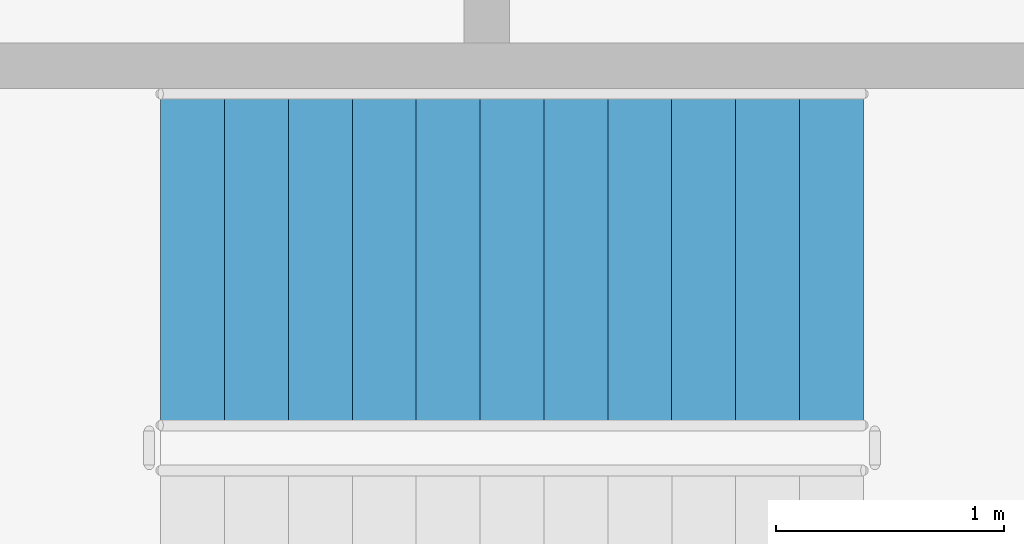
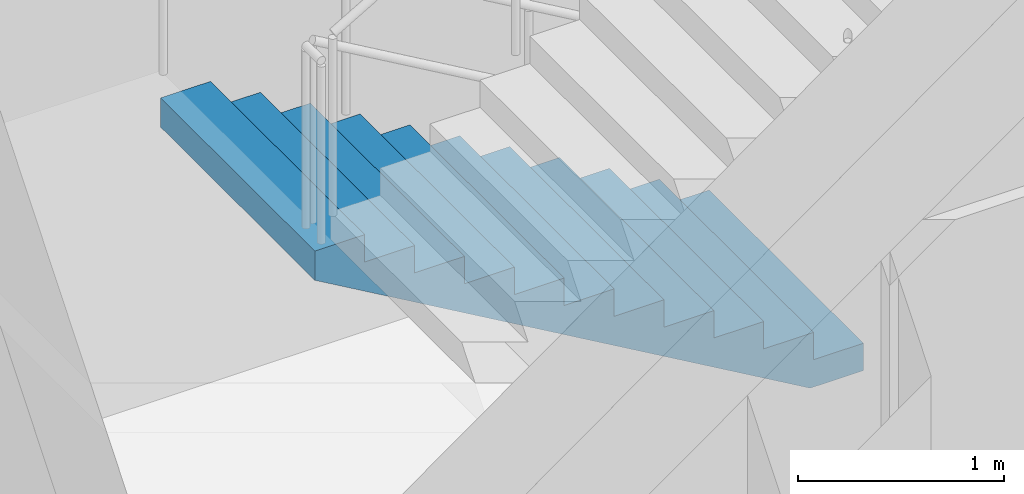
# One storey, part 78 of 95: 1 stair flight, 1 element without a shape of its own.
"""IFC4 building model written with IfcOpenShell, lengths in metres."""

from ifc_helpers import new_model, si_unit, direction, frame, origin, place, context, subcontext, project, spatial, triangles, material, type_object, element, aggregate, save


model = new_model("IFC4")

# Units and contexts
model_context = context("Model", 3, precision=1e-05, world=origin(), true_north=direction((0.0, 1.0)))
body_context = subcontext(model_context, "Body", "Model", "MODEL_VIEW")
ifc_project = project(units=[si_unit("LENGTHUNIT", "METRE"), si_unit("AREAUNIT", "SQUARE_METRE"), si_unit("VOLUMEUNIT", "CUBIC_METRE"), si_unit("PLANEANGLEUNIT", "RADIAN"), si_unit("MASSUNIT", "GRAM", prefix="KILO")], contexts=[model_context])

# Site, building, storey
site_placement = place(None, origin())
site = spatial("IfcSite", under=ifc_project, at=site_placement, CompositionType="ELEMENT")
building_placement = place(site_placement, origin())
building = spatial("IfcBuilding", under=site, at=building_placement, Name="Magnolia Steps Interchange", CompositionType="ELEMENT")
storey_placement = place(building_placement, frame((0.0, 0.0, 4.800048828125)))
storey = spatial("IfcBuildingStorey", under=building, at=storey_placement, Name="L01", CompositionType="ELEMENT", Elevation=4.800048828125)

# Stair, stair flight
ifc_material_1 = material(Name="Concrete C40", Category="concrete")
stair_type = type_object("IfcStairType", Name="Exit stair 1500", PredefinedType="HALF_TURN_STAIR", material=ifc_material_1)
stair_placement = place(storey_placement, origin())
stair = element("IfcStair", 1, at=stair_placement, inside=storey, type_object=stair_type, Name="L01 Stair 28", PredefinedType="HALF_TURN_STAIR")
ifc_material_2 = material(Name="Concrete C40", Category="concrete")
stair_flight_type = type_object("IfcStairFlightType", Name="Exit stair flight", PredefinedType="STRAIGHT", material=ifc_material_2)
stair_flight_placement = place(storey_placement, frame((69.14990234375, 99.25, 0.0), z_axis=(0.0, 0.0, 1.0), x_axis=(-1.0, 0.0, 0.0)))
stair_flight = element("IfcStairFlight", 2, at=stair_flight_placement, type_object=stair_flight_type, Name="Stair 28 flight 1", NumberOfRisers=12, NumberOfTreads=11, PredefinedType="STRAIGHT", RiserHeight=0.1625, TreadLength=0.28, context=body_context, shape_type="Tessellation", body=[
    triangles([(0.0, -0.75, 0.0), (0.298583984375, -0.75, 0.0), (3.080078125, -0.75, 1.6142578125), (3.080078125, -0.75, 1.78759765625), (2.800048828125, -0.75, 1.78759765625), (2.800048828125, -0.75, 1.625), (2.52001953125, -0.75, 1.625), (2.52001953125, -0.75, 1.46240234375), (2.239990234375, -0.75, 1.46240234375), (2.239990234375, -0.75, 1.300048828125), (1.9599609375, -0.75, 1.300048828125), (1.9599609375, -0.75, 1.137451171875), (1.679931640625, -0.75, 1.137451171875), (1.679931640625, -0.75, 0.97509765625), (1.39990234375, -0.75, 0.97509765625), (1.39990234375, -0.75, 0.8125), (1.1201171875, -0.75, 0.8125), (1.1201171875, -0.75, 0.64990234375), (0.840087890625, -0.75, 0.64990234375), (0.840087890625, -0.75, 0.487548828125), (0.56005859375, -0.75, 0.487548828125), (0.56005859375, -0.75, 0.324951171875), (0.280029296875, -0.75, 0.324951171875), (0.280029296875, -0.75, 0.16259765625), (0.0, -0.75, 0.16259765625), (0.0, 0.75, 0.0), (0.298583984375, 0.75, 0.0), (3.080078125, 0.75, 1.6142578125), (3.080078125, 0.75, 1.78759765625), (2.800048828125, 0.75, 1.78759765625), (2.800048828125, 0.75, 1.625), (2.52001953125, 0.75, 1.625), (2.52001953125, 0.75, 1.46240234375), (2.239990234375, 0.75, 1.46240234375), (2.239990234375, 0.75, 1.300048828125), (1.9599609375, 0.75, 1.300048828125), (1.9599609375, 0.75, 1.137451171875), (1.679931640625, 0.75, 1.137451171875), (1.679931640625, 0.75, 0.97509765625), (1.39990234375, 0.75, 0.97509765625), (1.39990234375, 0.75, 0.8125), (1.1201171875, 0.75, 0.8125), (1.1201171875, 0.75, 0.64990234375), (0.840087890625, 0.75, 0.64990234375), (0.840087890625, 0.75, 0.487548828125), (0.56005859375, 0.75, 0.487548828125), (0.56005859375, 0.75, 0.324951171875), (0.280029296875, 0.75, 0.324951171875), (0.280029296875, 0.75, 0.16259765625), (0.0, 0.75, 0.16259765625), (0.0, 0.0, 0.0), (0.0, 0.0, 0.0406494140625), (0.0, 0.0, 0.081298828125), (0.0, 0.0, 0.1219482421875), (0.0, 0.0, 0.16259765625), (0.0, -0.05, 0.0), (0.0, -0.05, 0.16259765625), (0.0, 0.05, 0.0), (0.0, 0.05, 0.16259765625), (0.046671549479166664, 0.0, 0.16259765625), (0.09334309895833333, 0.0, 0.16259765625), (0.1400146484375, 0.0, 0.16259765625), (0.18668619791666666, 0.0, 0.16259765625), (0.23335774739583334, 0.0, 0.16259765625), (0.280029296875, 0.0, 0.16259765625), (0.280029296875, -0.05, 0.16259765625), (0.280029296875, 0.05, 0.16259765625), (0.280029296875, 0.0, 0.20318603515625), (0.280029296875, 0.0, 0.2437744140625), (0.280029296875, 0.0, 0.28436279296875), (0.280029296875, 0.0, 0.324951171875), (0.280029296875, -0.05, 0.324951171875), (0.280029296875, 0.05, 0.324951171875), (0.3267008463541667, 0.0, 0.324951171875), (0.3733723958333333, 0.0, 0.324951171875), (0.4200439453125, 0.0, 0.324951171875), (0.46671549479166663, 0.0, 0.324951171875), (0.5133870442708334, 0.0, 0.324951171875), (0.56005859375, 0.0, 0.324951171875), (0.56005859375, -0.05, 0.324951171875), (0.56005859375, 0.05, 0.324951171875), (0.56005859375, 0.0, 0.3656005859375), (0.56005859375, 0.0, 0.40625), (0.56005859375, 0.0, 0.4468994140625), (0.56005859375, 0.0, 0.487548828125), (0.56005859375, -0.05, 0.487548828125), (0.56005859375, 0.05, 0.487548828125), (0.6067301432291666, 0.0, 0.487548828125), (0.6534016927083334, 0.0, 0.487548828125), (0.7000732421875, 0.0, 0.487548828125), (0.7467447916666666, 0.0, 0.487548828125), (0.7934163411458334, 0.0, 0.487548828125), (0.840087890625, 0.0, 0.487548828125), (0.840087890625, -0.05, 0.487548828125), (0.840087890625, 0.05, 0.487548828125), (0.840087890625, 0.0, 0.52813720703125), (0.840087890625, 0.0, 0.5687255859375), (0.840087890625, 0.0, 0.60931396484375), (0.840087890625, 0.0, 0.64990234375), (0.840087890625, -0.05, 0.64990234375), (0.840087890625, 0.05, 0.64990234375), (0.8867594401041666, 0.0, 0.64990234375), (0.9334309895833334, 0.0, 0.64990234375), (0.9801025390625, 0.0, 0.64990234375), (1.0267740885416667, 0.0, 0.64990234375), (1.0734456380208333, 0.0, 0.64990234375), (1.1201171875, 0.0, 0.64990234375), (1.1201171875, -0.05, 0.64990234375), (1.1201171875, 0.05, 0.64990234375), (1.1201171875, 0.0, 0.6905517578125), (1.1201171875, 0.0, 0.731201171875), (1.1201171875, 0.0, 0.7718505859375), (1.1201171875, 0.0, 0.8125), (1.1201171875, -0.05, 0.8125), (1.1201171875, 0.05, 0.8125), (1.1900634765625, 0.0, 0.8125), (1.260009765625, 0.0, 0.8125), (1.3299560546875, 0.0, 0.8125), (1.39990234375, 0.0, 0.8125), (1.39990234375, -0.05, 0.8125), (1.39990234375, 0.05, 0.8125), (1.39990234375, 0.0, 0.8531494140625), (1.39990234375, 0.0, 0.893798828125), (1.39990234375, 0.0, 0.9344482421875), (1.39990234375, 0.0, 0.97509765625), (1.39990234375, -0.05, 0.97509765625), (1.39990234375, 0.05, 0.97509765625), (1.4465738932291667, 0.0, 0.97509765625), (1.4932454427083333, 0.0, 0.97509765625), (1.5399169921875, 0.0, 0.97509765625), (1.5865885416666667, 0.0, 0.97509765625), (1.6332600911458333, 0.0, 0.97509765625), (1.679931640625, 0.0, 0.97509765625), (1.679931640625, -0.05, 0.97509765625), (1.679931640625, 0.05, 0.97509765625), (1.679931640625, 0.0, 1.01568603515625), (1.679931640625, 0.0, 1.0562744140625), (1.679931640625, 0.0, 1.09686279296875), (1.679931640625, 0.0, 1.137451171875), (1.679931640625, -0.05, 1.137451171875), (1.679931640625, 0.05, 1.137451171875), (1.7266031901041667, 0.0, 1.137451171875), (1.7732747395833333, 0.0, 1.137451171875), (1.8199462890625, 0.0, 1.137451171875), (1.8666178385416667, 0.0, 1.137451171875), (1.9132893880208333, 0.0, 1.137451171875), (1.9599609375, 0.0, 1.137451171875), (1.9599609375, -0.05, 1.137451171875), (1.9599609375, 0.05, 1.137451171875), (1.9599609375, 0.0, 1.1781005859375), (1.9599609375, 0.0, 1.21875), (1.9599609375, 0.0, 1.2593994140625), (1.9599609375, 0.0, 1.300048828125), (1.9599609375, -0.05, 1.300048828125), (1.9599609375, 0.05, 1.300048828125), (2.0066324869791665, 0.0, 1.300048828125), (2.0533040364583335, 0.0, 1.300048828125), (2.0999755859375, 0.0, 1.300048828125), (2.1466471354166665, 0.0, 1.300048828125), (2.1933186848958335, 0.0, 1.300048828125), (2.239990234375, 0.0, 1.300048828125), (2.239990234375, -0.05, 1.300048828125), (2.239990234375, 0.05, 1.300048828125), (2.239990234375, 0.0, 1.34063720703125), (2.239990234375, 0.0, 1.3812255859375), (2.239990234375, 0.0, 1.42181396484375), (2.239990234375, 0.0, 1.46240234375), (2.239990234375, -0.05, 1.46240234375), (2.239990234375, 0.05, 1.46240234375), (2.2866617838541665, 0.0, 1.46240234375), (2.3333333333333335, 0.0, 1.46240234375), (2.3800048828125, 0.0, 1.46240234375), (2.4266764322916665, 0.0, 1.46240234375), (2.4733479817708335, 0.0, 1.46240234375), (2.52001953125, 0.0, 1.46240234375), (2.52001953125, -0.05, 1.46240234375), (2.52001953125, 0.05, 1.46240234375), (2.52001953125, 0.0, 1.5030517578125), (2.52001953125, 0.0, 1.543701171875), (2.52001953125, 0.0, 1.5843505859375), (2.52001953125, 0.0, 1.625), (2.52001953125, -0.05, 1.625), (2.52001953125, 0.05, 1.625), (2.5666910807291665, 0.0, 1.625), (2.6133626302083335, 0.0, 1.625), (2.6600341796875, 0.0, 1.625), (2.7067057291666665, 0.0, 1.625), (2.7533772786458335, 0.0, 1.625), (2.800048828125, 0.0, 1.625), (2.800048828125, -0.05, 1.625), (2.800048828125, 0.05, 1.625), (2.800048828125, 0.0, 1.6656494140625), (2.800048828125, 0.0, 1.706298828125), (2.800048828125, 0.0, 1.7469482421875), (2.800048828125, 0.0, 1.78759765625), (2.800048828125, -0.05, 1.78759765625), (2.800048828125, 0.05, 1.78759765625), (2.8467203776041665, 0.0, 1.78759765625), (2.8933919270833335, 0.0, 1.78759765625), (2.9400634765625, 0.0, 1.78759765625), (2.9867350260416665, 0.0, 1.78759765625), (3.0334065755208335, 0.0, 1.78759765625), (3.080078125, 0.0, 1.78759765625), (3.080078125, -0.05, 1.78759765625), (3.080078125, 0.05, 1.78759765625), (3.080078125, 0.0, 1.7442626953125), (3.080078125, 0.0, 1.700927734375), (3.080078125, 0.0, 1.6575927734375), (3.080078125, 0.0, 1.6142578125), (3.080078125, -0.05, 1.6142578125), (3.080078125, 0.05, 1.6142578125), (3.0196108610733696, 0.0, 1.5791652513586956), (2.9591435971467392, 0.0, 1.5440726902173914), (2.898676333220109, 0.0, 1.508980129076087), (2.8382090692934785, 0.0, 1.4738875679347827), (2.7777418053668477, 0.0, 1.4387950067934783), (2.7172745414402173, 0.0, 1.4037024456521738), (2.656807277513587, 0.0, 1.3686098845108696), (2.5963400135869565, 0.0, 1.3335173233695652), (2.535872749660326, 0.0, 1.2984247622282608), (2.475405485733696, 0.0, 1.2633322010869565), (2.4149382218070654, 0.0, 1.228239639945652), (2.3544709578804346, 0.0, 1.193147078804348), (2.294003693953804, 0.0, 1.1580545176630435), (2.233536430027174, 0.0, 1.1229619565217392), (2.1730691661005435, 0.0, 1.0878693953804348), (2.112601902173913, 0.0, 1.0527768342391304), (2.0521346382472827, 0.0, 1.0176842730978262), (1.991667374320652, 0.0, 0.9825917119565217), (1.9312001103940217, 0.0, 0.9474991508152174), (1.8707328464673914, 0.0, 0.9124065896739131), (1.810265582540761, 0.0, 0.8773140285326086), (1.7497983186141304, 0.0, 0.8422214673913043), (1.6893310546875, 0.0, 0.80712890625), (1.6288637907608696, 0.0, 0.7720363451086957), (1.568396526834239, 0.0, 0.7369437839673914), (1.5079292629076086, 0.0, 0.7018512228260869), (1.4474619989809783, 0.0, 0.6667586616847826), (1.386994735054348, 0.0, 0.6316661005434783), (1.3265274711277173, 0.0, 0.5965735394021738), (1.266060207201087, 0.0, 0.5614809782608696), (1.2055929432744565, 0.0, 0.5263884171195652), (1.1451256793478262, 0.0, 0.491295855978261), (1.0846584154211956, 0.0, 0.45620329483695654), (1.0241911514945654, 0.0, 0.4211107336956521), (0.9637238875679346, 0.0, 0.3860181725543479), (0.9032566236413042, 0.0, 0.35092561141304346), (0.8427893597146738, 0.0, 0.315833050271739), (0.7823220957880435, 0.0, 0.2807404891304348), (0.7218548318614131, 0.0, 0.24564792798913038), (0.6613875679347827, 0.0, 0.21055536684782616), (0.6009203040081523, 0.0, 0.17546280570652173), (0.540453040081522, 0.0, 0.1403702445652173), (0.47998577615489113, 0.0, 0.10527768342391308), (0.41951851222826075, 0.0, 0.07018512228260865), (0.3590512483016304, 0.0, 0.035092561141304435), (0.298583984375, 0.0, 0.0), (0.298583984375, -0.05, 0.0), (0.298583984375, 0.05, 0.0), (0.24881998697916666, 0.0, 0.0), (0.19905598958333331, 0.0, 0.0), (0.1492919921875, 0.0, 0.0), (0.09952799479166666, 0.0, 0.0), (0.04976399739583334, 0.0, 0.0)], [[1, 2, 3], [3, 4, 5], [3, 5, 6], [3, 6, 7], [3, 7, 8], [8, 9, 10], [3, 8, 10], [10, 11, 12], [3, 10, 12], [12, 13, 14], [3, 12, 14], [14, 15, 16], [3, 14, 16], [16, 17, 18], [3, 16, 18], [18, 19, 20], [3, 18, 20], [20, 21, 22], [3, 20, 22], [1, 3, 22], [22, 23, 24], [1, 22, 24], [24, 25, 1], [26, 28, 27], [28, 30, 29], [28, 31, 30], [28, 32, 31], [28, 33, 32], [33, 35, 34], [28, 35, 33], [35, 37, 36], [28, 37, 35], [37, 39, 38], [28, 39, 37], [39, 41, 40], [28, 41, 39], [41, 43, 42], [28, 43, 41], [43, 45, 44], [28, 45, 43], [45, 47, 46], [28, 47, 45], [26, 47, 28], [47, 49, 48], [26, 49, 47], [49, 26, 50], [1, 25, 57], [1, 57, 56], [56, 52, 51], [56, 53, 52], [56, 57, 53], [57, 54, 53], [57, 55, 54], [26, 59, 50], [26, 58, 59], [58, 51, 52], [58, 52, 53], [58, 53, 59], [59, 53, 54], [59, 54, 55], [25, 24, 66], [25, 66, 57], [57, 60, 55], [57, 61, 60], [57, 62, 61], [57, 66, 62], [66, 63, 62], [66, 64, 63], [66, 65, 64], [50, 67, 49], [50, 59, 67], [59, 55, 60], [59, 60, 61], [59, 61, 62], [59, 62, 67], [67, 62, 63], [67, 63, 64], [67, 64, 65], [24, 23, 72], [24, 72, 66], [66, 68, 65], [66, 69, 68], [66, 72, 69], [72, 70, 69], [72, 71, 70], [49, 73, 48], [49, 67, 73], [67, 65, 68], [67, 68, 69], [67, 69, 73], [73, 69, 70], [73, 70, 71], [23, 22, 80], [23, 80, 72], [72, 74, 71], [72, 75, 74], [72, 76, 75], [72, 80, 76], [80, 77, 76], [80, 78, 77], [80, 79, 78], [48, 81, 47], [48, 73, 81], [73, 71, 74], [73, 74, 75], [73, 75, 76], [73, 76, 81], [81, 76, 77], [81, 77, 78], [81, 78, 79], [22, 21, 86], [22, 86, 80], [80, 82, 79], [80, 83, 82], [80, 86, 83], [86, 84, 83], [86, 85, 84], [47, 87, 46], [47, 81, 87], [81, 79, 82], [81, 82, 83], [81, 83, 87], [87, 83, 84], [87, 84, 85], [21, 20, 94], [21, 94, 86], [86, 88, 85], [86, 89, 88], [86, 90, 89], [86, 94, 90], [94, 91, 90], [94, 92, 91], [94, 93, 92], [46, 95, 45], [46, 87, 95], [87, 85, 88], [87, 88, 89], [87, 89, 90], [87, 90, 95], [95, 90, 91], [95, 91, 92], [95, 92, 93], [20, 19, 100], [20, 100, 94], [94, 96, 93], [94, 97, 96], [94, 100, 97], [100, 98, 97], [100, 99, 98], [45, 101, 44], [45, 95, 101], [95, 93, 96], [95, 96, 97], [95, 97, 101], [101, 97, 98], [101, 98, 99], [19, 18, 108], [19, 108, 100], [100, 102, 99], [100, 103, 102], [100, 104, 103], [100, 108, 104], [108, 105, 104], [108, 106, 105], [108, 107, 106], [44, 109, 43], [44, 101, 109], [101, 99, 102], [101, 102, 103], [101, 103, 104], [101, 104, 109], [109, 104, 105], [109, 105, 106], [109, 106, 107], [18, 17, 114], [18, 114, 108], [108, 110, 107], [108, 111, 110], [108, 114, 111], [114, 112, 111], [114, 113, 112], [43, 115, 42], [43, 109, 115], [109, 107, 110], [109, 110, 111], [109, 111, 115], [115, 111, 112], [115, 112, 113], [17, 16, 120], [17, 120, 114], [114, 116, 113], [114, 117, 116], [114, 120, 117], [120, 118, 117], [120, 119, 118], [42, 121, 41], [42, 115, 121], [115, 113, 116], [115, 116, 117], [115, 117, 121], [121, 117, 118], [121, 118, 119], [16, 15, 126], [16, 126, 120], [120, 122, 119], [120, 123, 122], [120, 126, 123], [126, 124, 123], [126, 125, 124], [41, 127, 40], [41, 121, 127], [121, 119, 122], [121, 122, 123], [121, 123, 127], [127, 123, 124], [127, 124, 125], [15, 14, 134], [15, 134, 126], [126, 128, 125], [126, 129, 128], [126, 130, 129], [126, 134, 130], [134, 131, 130], [134, 132, 131], [134, 133, 132], [40, 135, 39], [40, 127, 135], [127, 125, 128], [127, 128, 129], [127, 129, 130], [127, 130, 135], [135, 130, 131], [135, 131, 132], [135, 132, 133], [14, 13, 140], [14, 140, 134], [134, 136, 133], [134, 137, 136], [134, 140, 137], [140, 138, 137], [140, 139, 138], [39, 141, 38], [39, 135, 141], [135, 133, 136], [135, 136, 137], [135, 137, 141], [141, 137, 138], [141, 138, 139], [13, 12, 148], [13, 148, 140], [140, 142, 139], [140, 143, 142], [140, 144, 143], [140, 148, 144], [148, 145, 144], [148, 146, 145], [148, 147, 146], [38, 149, 37], [38, 141, 149], [141, 139, 142], [141, 142, 143], [141, 143, 144], [141, 144, 149], [149, 144, 145], [149, 145, 146], [149, 146, 147], [12, 11, 154], [12, 154, 148], [148, 150, 147], [148, 151, 150], [148, 154, 151], [154, 152, 151], [154, 153, 152], [37, 155, 36], [37, 149, 155], [149, 147, 150], [149, 150, 151], [149, 151, 155], [155, 151, 152], [155, 152, 153], [11, 10, 162], [11, 162, 154], [154, 156, 153], [154, 157, 156], [154, 158, 157], [154, 162, 158], [162, 159, 158], [162, 160, 159], [162, 161, 160], [36, 163, 35], [36, 155, 163], [155, 153, 156], [155, 156, 157], [155, 157, 158], [155, 158, 163], [163, 158, 159], [163, 159, 160], [163, 160, 161], [10, 9, 168], [10, 168, 162], [162, 164, 161], [162, 165, 164], [162, 168, 165], [168, 166, 165], [168, 167, 166], [35, 169, 34], [35, 163, 169], [163, 161, 164], [163, 164, 165], [163, 165, 169], [169, 165, 166], [169, 166, 167], [9, 8, 176], [9, 176, 168], [168, 170, 167], [168, 171, 170], [168, 172, 171], [168, 176, 172], [176, 173, 172], [176, 174, 173], [176, 175, 174], [34, 177, 33], [34, 169, 177], [169, 167, 170], [169, 170, 171], [169, 171, 172], [169, 172, 177], [177, 172, 173], [177, 173, 174], [177, 174, 175], [8, 7, 182], [8, 182, 176], [176, 178, 175], [176, 179, 178], [176, 182, 179], [182, 180, 179], [182, 181, 180], [33, 183, 32], [33, 177, 183], [177, 175, 178], [177, 178, 179], [177, 179, 183], [183, 179, 180], [183, 180, 181], [7, 6, 190], [7, 190, 182], [182, 184, 181], [182, 185, 184], [182, 186, 185], [182, 190, 186], [190, 187, 186], [190, 188, 187], [190, 189, 188], [32, 191, 31], [32, 183, 191], [183, 181, 184], [183, 184, 185], [183, 185, 186], [183, 186, 191], [191, 186, 187], [191, 187, 188], [191, 188, 189], [6, 5, 196], [6, 196, 190], [190, 192, 189], [190, 193, 192], [190, 196, 193], [196, 194, 193], [196, 195, 194], [31, 197, 30], [31, 191, 197], [191, 189, 192], [191, 192, 193], [191, 193, 197], [197, 193, 194], [197, 194, 195], [5, 4, 204], [5, 204, 196], [196, 198, 195], [196, 199, 198], [196, 200, 199], [196, 204, 200], [204, 201, 200], [204, 202, 201], [204, 203, 202], [30, 205, 29], [30, 197, 205], [197, 195, 198], [197, 198, 199], [197, 199, 200], [197, 200, 205], [205, 200, 201], [205, 201, 202], [205, 202, 203], [4, 3, 210], [4, 210, 204], [204, 206, 203], [204, 207, 206], [204, 210, 207], [210, 208, 207], [210, 209, 208], [29, 211, 28], [29, 205, 211], [205, 203, 206], [205, 206, 207], [205, 207, 211], [211, 207, 208], [211, 208, 209], [3, 2, 258], [3, 258, 210], [210, 212, 209], [210, 213, 212], [210, 214, 213], [210, 215, 214], [210, 216, 215], [210, 217, 216], [210, 218, 217], [210, 219, 218], [210, 220, 219], [210, 221, 220], [210, 222, 221], [210, 223, 222], [210, 224, 223], [210, 225, 224], [210, 226, 225], [210, 227, 226], [210, 228, 227], [210, 229, 228], [210, 230, 229], [210, 231, 230], [210, 232, 231], [210, 233, 232], [210, 234, 233], [210, 258, 234], [258, 235, 234], [258, 236, 235], [258, 237, 236], [258, 238, 237], [258, 239, 238], [258, 240, 239], [258, 241, 240], [258, 242, 241], [258, 243, 242], [258, 244, 243], [258, 245, 244], [258, 246, 245], [258, 247, 246], [258, 248, 247], [258, 249, 248], [258, 250, 249], [258, 251, 250], [258, 252, 251], [258, 253, 252], [258, 254, 253], [258, 255, 254], [258, 256, 255], [258, 257, 256], [28, 259, 27], [28, 211, 259], [211, 209, 212], [211, 212, 213], [211, 213, 214], [211, 214, 215], [211, 215, 216], [211, 216, 217], [211, 217, 218], [211, 218, 219], [211, 219, 220], [211, 220, 221], [211, 221, 222], [211, 222, 223], [211, 223, 224], [211, 224, 225], [211, 225, 226], [211, 226, 227], [211, 227, 228], [211, 228, 229], [211, 229, 230], [211, 230, 231], [211, 231, 232], [211, 232, 233], [211, 233, 234], [211, 234, 259], [259, 234, 235], [259, 235, 236], [259, 236, 237], [259, 237, 238], [259, 238, 239], [259, 239, 240], [259, 240, 241], [259, 241, 242], [259, 242, 243], [259, 243, 244], [259, 244, 245], [259, 245, 246], [259, 246, 247], [259, 247, 248], [259, 248, 249], [259, 249, 250], [259, 250, 251], [259, 251, 252], [259, 252, 253], [259, 253, 254], [259, 254, 255], [259, 255, 256], [259, 256, 257], [2, 1, 56], [2, 56, 258], [258, 260, 257], [258, 261, 260], [258, 262, 261], [258, 56, 262], [56, 263, 262], [56, 264, 263], [56, 51, 264], [27, 58, 26], [27, 259, 58], [259, 257, 260], [259, 260, 261], [259, 261, 262], [259, 262, 58], [58, 262, 263], [58, 263, 264], [58, 264, 51]], closed=True),
])
aggregate(stair, [stair_flight])

save(model, "model.ifc")
